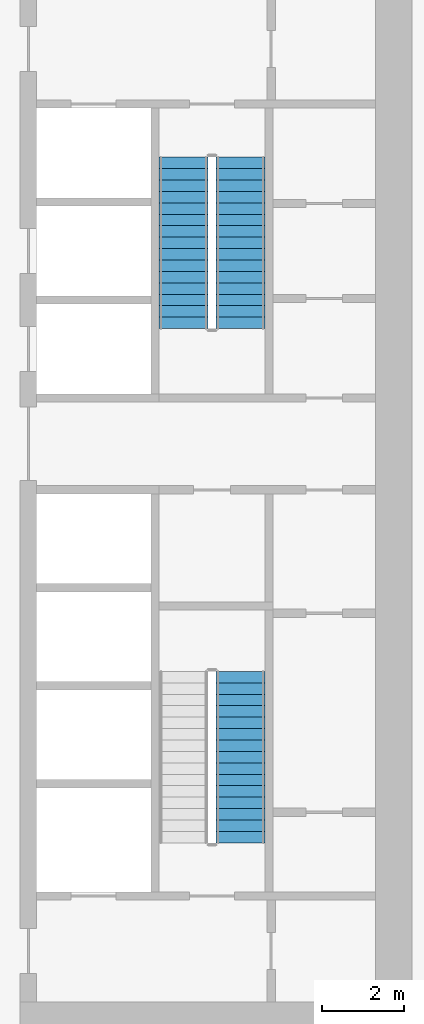
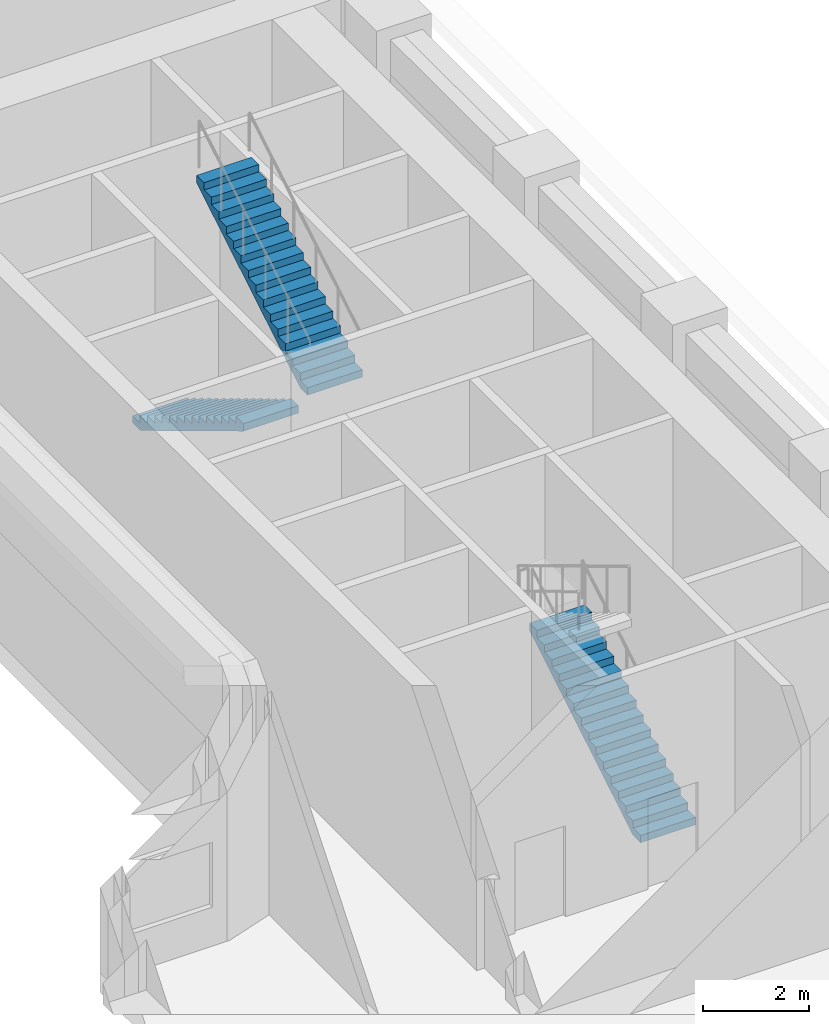
# One storey, part 7 of 14: 3 stair flights, 2 elements without a shape of their own.
"""IFC4 building model written with IfcOpenShell, lengths in metres."""

from ifc_helpers import new_model, si_unit, direction, frame, origin, place, context, subcontext, project, spatial, polyline, outline, extrude, material, type_object, element, aggregate, save


model = new_model("IFC4")

# Units and contexts
model_context = context("Model", 3, precision=1e-05, world=origin(), true_north=direction((0.0, 1.0)))
body_context = subcontext(model_context, "Body", "Model", "MODEL_VIEW")
ifc_project = project(units=[si_unit("LENGTHUNIT", "METRE"), si_unit("AREAUNIT", "SQUARE_METRE"), si_unit("VOLUMEUNIT", "CUBIC_METRE"), si_unit("PLANEANGLEUNIT", "RADIAN"), si_unit("MASSUNIT", "GRAM", prefix="KILO")], contexts=[model_context])

# Site, building, storey
site_placement = place(None, origin())
site = spatial("IfcSite", under=ifc_project, at=site_placement, CompositionType="ELEMENT")
building_placement = place(site_placement, origin())
building = spatial("IfcBuilding", under=site, at=building_placement, Name="Kiln Ring Residences", CompositionType="ELEMENT")
storey_placement = place(building_placement, frame((0.0, 0.0, 130.699951171875)))
storey = spatial("IfcBuildingStorey", under=building, at=storey_placement, Name="L33", CompositionType="ELEMENT", Elevation=130.699951171875)

# Stair, stair flights
ifc_material_1 = material(Name="Concrete C40/50", Category="concrete")
stair_type = type_object("IfcStairType", Name="CORE-STAIR", PredefinedType="HALF_TURN_STAIR", material=ifc_material_1)
placement = place(storey_placement, origin())
stair_1 = element("IfcStair", 1, at=placement, inside=storey, type_object=stair_type, Name="L33 stair E-STN", PredefinedType="HALF_TURN_STAIR")
ifc_material_2 = material(Name="Concrete C40/50", Category="concrete")
stair_flight_type = type_object("IfcStairFlightType", Name="CORE-STAIR-FLIGHT", PredefinedType="STRAIGHT", material=ifc_material_2)
stair_flight_1_placement = place(storey_placement, frame((21.39990234375, 8.39990234375, 0.0), z_axis=(0.0, 0.0, 1.0), x_axis=(0.0, -1.0, 0.0)))
stair_flight_1 = element("IfcStairFlight", 2, at=stair_flight_1_placement, type_object=stair_flight_type, Name="E-STN flight 1", NumberOfRisers=16, NumberOfTreads=15, PredefinedType="STRAIGHT", RiserHeight=0.16875, TreadLength=0.28, context=body_context, shape_type="SweptSolid", body=[
    extrude(outline(polyline([(0.0, 0.0), (0.0, 0.168701171875), (0.280029296875, 0.168701171875), (0.280029296875, 0.33740234375), (0.56005859375, 0.33740234375), (0.56005859375, 0.50634765625), (0.840087890625, 0.50634765625), (0.840087890625, 0.675048828125), (1.1201171875, 0.675048828125), (1.1201171875, 0.84375), (1.39990234375, 0.84375), (1.39990234375, 1.012451171875), (1.679931640625, 1.012451171875), (1.679931640625, 1.18115234375), (1.9599609375, 1.18115234375), (1.9599609375, 1.35009765625), (2.239990234375, 1.35009765625), (2.239990234375, 1.518798828125), (2.52001953125, 1.518798828125), (2.52001953125, 1.6875), (2.800048828125, 1.6875), (2.800048828125, 1.856201171875), (3.080078125, 1.856201171875), (3.080078125, 2.02490234375), (3.360107421875, 2.02490234375), (3.360107421875, 2.19384765625), (3.639892578125, 2.19384765625), (3.639892578125, 2.362548828125), (3.919921875, 2.362548828125), (3.919921875, 2.53125), (4.199951171875, 2.53125), (4.199951171875, 2.699951171875), (4.199951171875, 2.356201171875), (0.29052734375, 0.0), (0.0, 0.0)])), frame((0.0, 0.60009765625, 0.0), z_axis=(0.0, -1.0, 0.0), x_axis=(1.0, 0.0, 0.0)), (0.0, 0.0, 1.0), 1.199951171875),
])
stair_flight_2_placement = place(storey_placement, frame((22.800048828125, 4.199951171875, 2.699951171875), z_axis=(0.0, 0.0, 1.0), x_axis=(0.0, 1.0, 0.0)))
stair_flight_2 = element("IfcStairFlight", 3, at=stair_flight_2_placement, type_object=stair_flight_type, Name="E-STN flight 2", NumberOfRisers=16, NumberOfTreads=15, PredefinedType="STRAIGHT", RiserHeight=0.16875, TreadLength=0.28, context=body_context, shape_type="SweptSolid", body=[
    extrude(outline(polyline([(0.0, 0.0), (0.0, 0.168701171875), (0.280029296875, 0.168701171875), (0.280029296875, 0.33740234375), (0.56005859375, 0.33740234375), (0.56005859375, 0.50634765625), (0.840087890625, 0.50634765625), (0.840087890625, 0.675048828125), (1.1201171875, 0.675048828125), (1.1201171875, 0.84375), (1.39990234375, 0.84375), (1.39990234375, 1.012451171875), (1.679931640625, 1.012451171875), (1.679931640625, 1.18115234375), (1.9599609375, 1.18115234375), (1.9599609375, 1.35009765625), (2.239990234375, 1.35009765625), (2.239990234375, 1.518798828125), (2.52001953125, 1.518798828125), (2.52001953125, 1.6875), (2.800048828125, 1.6875), (2.800048828125, 1.856201171875), (3.080078125, 1.856201171875), (3.080078125, 2.02490234375), (3.360107421875, 2.02490234375), (3.360107421875, 2.19384765625), (3.639892578125, 2.19384765625), (3.639892578125, 2.362548828125), (3.919921875, 2.362548828125), (3.919921875, 2.53125), (4.199951171875, 2.53125), (4.199951171875, 2.699951171875), (4.199951171875, 2.356201171875), (0.29052734375, 0.0), (0.0, 0.0)])), frame((0.0, 0.60009765625, 0.0), z_axis=(0.0, -1.0, 0.0), x_axis=(1.0, 0.0, 0.0)), (0.0, 0.0, 1.0), 1.199951171875),
])
aggregate(stair_1, [stair_flight_1, stair_flight_2])

# Stair, stair flight
stair_2 = element("IfcStair", 4, at=placement, inside=storey, type_object=stair_type, Name="L33 stair E-STS", PredefinedType="HALF_TURN_STAIR")
stair_flight_3_placement = place(storey_placement, frame((22.800048828125, -8.39990234375, 0.0), z_axis=(0.0, 0.0, 1.0), x_axis=(0.0, 1.0, 0.0)))
stair_flight_3 = element("IfcStairFlight", 5, at=stair_flight_3_placement, type_object=stair_flight_type, Name="E-STS flight 1", NumberOfRisers=16, NumberOfTreads=15, PredefinedType="STRAIGHT", RiserHeight=0.16875, TreadLength=0.28, context=body_context, shape_type="SweptSolid", body=[
    extrude(outline(polyline([(0.0, 0.0), (0.0, 0.168701171875), (0.280029296875, 0.168701171875), (0.280029296875, 0.33740234375), (0.56005859375, 0.33740234375), (0.56005859375, 0.50634765625), (0.840087890625, 0.50634765625), (0.840087890625, 0.675048828125), (1.1201171875, 0.675048828125), (1.1201171875, 0.84375), (1.39990234375, 0.84375), (1.39990234375, 1.012451171875), (1.679931640625, 1.012451171875), (1.679931640625, 1.18115234375), (1.9599609375, 1.18115234375), (1.9599609375, 1.35009765625), (2.239990234375, 1.35009765625), (2.239990234375, 1.518798828125), (2.52001953125, 1.518798828125), (2.52001953125, 1.6875), (2.800048828125, 1.6875), (2.800048828125, 1.856201171875), (3.080078125, 1.856201171875), (3.080078125, 2.02490234375), (3.360107421875, 2.02490234375), (3.360107421875, 2.19384765625), (3.639892578125, 2.19384765625), (3.639892578125, 2.362548828125), (3.919921875, 2.362548828125), (3.919921875, 2.53125), (4.199951171875, 2.53125), (4.199951171875, 2.699951171875), (4.199951171875, 2.356201171875), (0.29052734375, 0.0), (0.0, 0.0)])), frame((0.0, 0.60009765625, 0.0), z_axis=(0.0, -1.0, 0.0), x_axis=(1.0, 0.0, 0.0)), (0.0, 0.0, 1.0), 1.199951171875),
])
aggregate(stair_2, [stair_flight_3])

save(model, "model.ifc")
